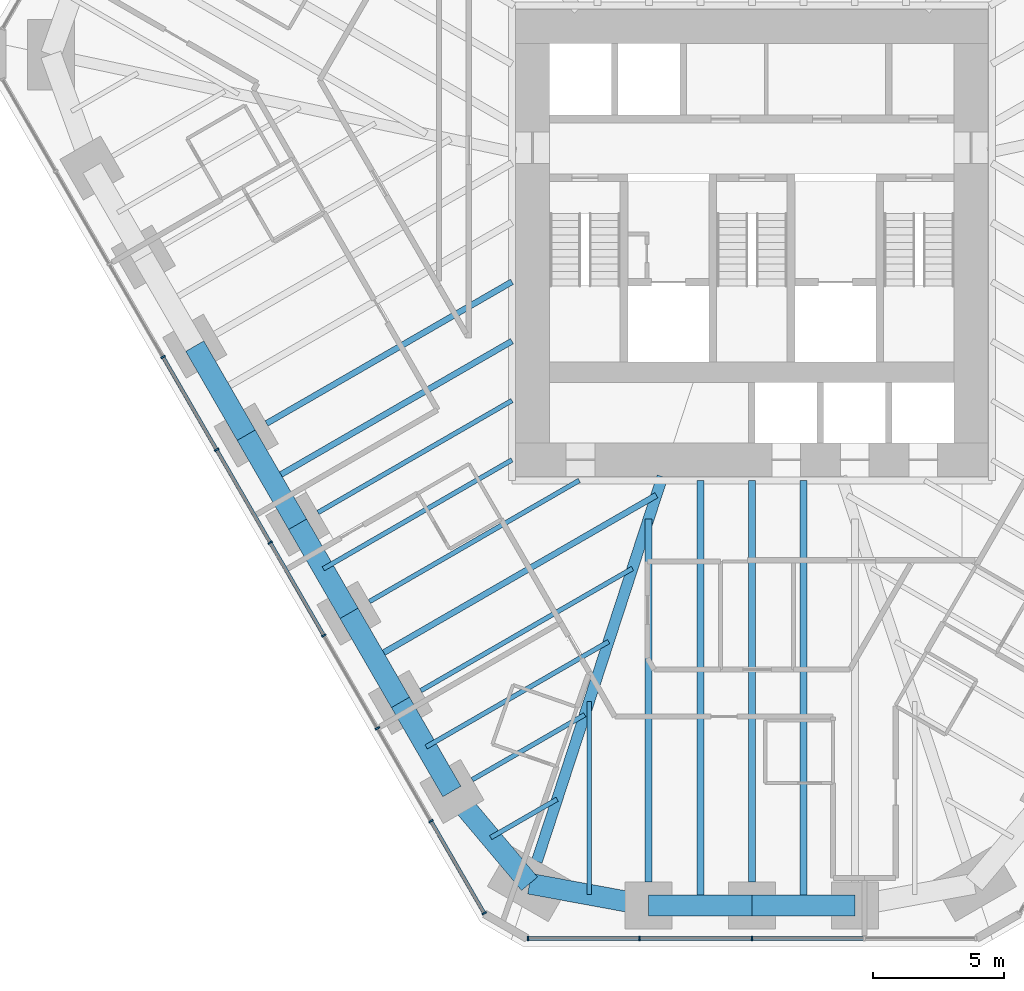
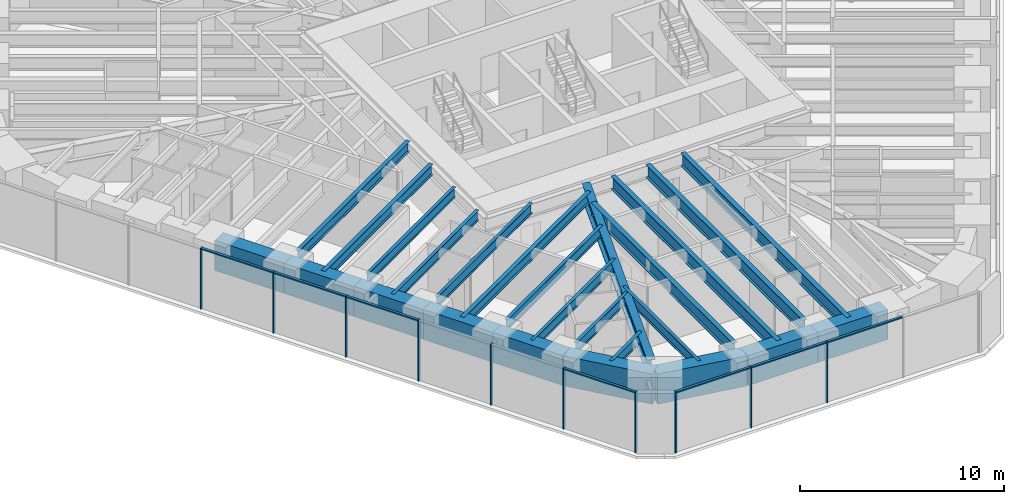
# One storey, part 2 of 17: 25 beams, 17 members, 2 elements without a shape of their own.
"""IFC4 building model written with IfcOpenShell, lengths in metres."""

from ifc_helpers import new_model, si_unit, direction, frame, origin, origin_2d, place, context, subcontext, project, spatial, rectangle, i_section, extrude, material, material_profile, profile_set, type_object, element, aggregate, save


model = new_model("IFC4")

# Units and contexts
model_context = context("Model", 3, precision=1e-05, world=origin(), true_north=direction((0.0, 1.0)))
body_context = subcontext(model_context, "Body", "Model", "MODEL_VIEW")
ifc_project = project(units=[si_unit("LENGTHUNIT", "METRE"), si_unit("AREAUNIT", "SQUARE_METRE"), si_unit("VOLUMEUNIT", "CUBIC_METRE"), si_unit("PLANEANGLEUNIT", "RADIAN"), si_unit("MASSUNIT", "GRAM", prefix="KILO")], contexts=[model_context])

# Site, building, storey
site_placement = place(None, origin())
site = spatial("IfcSite", under=ifc_project, at=site_placement, CompositionType="ELEMENT")
building_placement = place(site_placement, origin())
building = spatial("IfcBuilding", under=site, at=building_placement, Name="Sandreach Pilgrim Tower", CompositionType="ELEMENT")
storey_placement = place(building_placement, frame((0.0, 0.0, 142.39990234375)))
storey = spatial("IfcBuildingStorey", under=building, at=storey_placement, Name="L35", CompositionType="ELEMENT", Elevation=142.39990234375)

# Curtain wall, members
ifc_material_1 = material(Name="Aluminium framed curtain wall", Category="aluminium")
curtain_wall_type = type_object("IfcCurtainWallType", Name="Hotel tower curtain wall", PredefinedType="NOTDEFINED", material=ifc_material_1)
curtain_wall_1_placement = place(storey_placement, origin())
curtain_wall_1 = element("IfcCurtainWall", 1, at=curtain_wall_1_placement, inside=storey, type_object=curtain_wall_type, Name="CW-2 L35 S", PredefinedType="NOTDEFINED")
ifc_material_2 = material(Name="Aluminium extrusion", Category="aluminium")
ifc_material_profile_1 = material_profile(ifc_material_2, rectangle(XDim=0.06494140625, YDim=0.179931640625, at=origin_2d()), Name="CW-2M 65X180")
ifc_profile_set_1 = profile_set([ifc_material_profile_1], Name="Aluminium extrusion")
member_type_1 = type_object("IfcMemberType", Name="CW-2 mullion", PredefinedType="MULLION", material=ifc_profile_set_1)
member_1_placement = place(storey_placement, frame((0.0, -28.192138671875, 0.0), z_axis=(0.0, 0.0, 1.0), x_axis=(-1.0, 0.0, 0.0)))
member_1 = element("IfcMember", 2, at=member_1_placement, type_object=member_type_1, Name="CW-2 mullion 3", PredefinedType="MULLION", context=body_context, shape_type="SweptSolid", body=[
    extrude(rectangle(XDim=0.06494140625, YDim=0.179931640625, at=origin_2d()), origin(), (0.0, 0.0, 1.0), 3.64013671875),
])
member_2_placement = place(storey_placement, frame((-4.3056640625, -28.192138671875, 0.0), z_axis=(0.0, 0.0, 1.0), x_axis=(-1.0, 0.0, 0.0)))
member_2 = element("IfcMember", 3, at=member_2_placement, type_object=member_type_1, Name="CW-2 mullion 4", PredefinedType="MULLION", context=body_context, shape_type="SweptSolid", body=[
    extrude(rectangle(XDim=0.06494140625, YDim=0.179931640625, at=origin_2d()), origin(), (0.0, 0.0, 1.0), 3.64013671875),
])
member_3_placement = place(storey_placement, frame((-8.578857421875, -28.192138671875, 0.0), z_axis=(0.0, 0.0, 1.0), x_axis=(-1.0, 0.0, 0.0)))
member_3 = element("IfcMember", 4, at=member_3_placement, type_object=member_type_1, Name="CW-2 mullion 5", PredefinedType="MULLION", context=body_context, shape_type="SweptSolid", body=[
    extrude(rectangle(XDim=0.06494140625, YDim=0.179931640625, at=origin_2d()), origin(), (0.0, 0.0, 1.0), 3.64013671875),
])

curtain_wall_2_placement = place(storey_placement, origin())
curtain_wall_2 = element("IfcCurtainWall", 5, at=curtain_wall_2_placement, inside=storey, type_object=curtain_wall_type, Name="CW-2 L35 SW", PredefinedType="NOTDEFINED")
member_4_placement = place(storey_placement, frame((-10.255859375, -27.22412109375, 0.0), z_axis=(0.0, 0.0, 1.0), x_axis=(-0.5, 0.866025403784, 0.0)))
member_4 = element("IfcMember", 6, at=member_4_placement, type_object=member_type_1, Name="CW-2 mullion 1", PredefinedType="MULLION", context=body_context, shape_type="SweptSolid", body=[
    extrude(rectangle(XDim=0.06494140625, YDim=0.179931640625, at=origin_2d()), origin(), (0.0, 0.0, 1.0), 3.64013671875),
])
member_5_placement = place(storey_placement, frame((-12.29296875, -23.695556640625, 0.0), z_axis=(0.0, 0.0, 1.0), x_axis=(-0.5, 0.866025403784, 0.0)))
member_5 = element("IfcMember", 7, at=member_5_placement, type_object=member_type_1, Name="CW-2 mullion 2", PredefinedType="MULLION", context=body_context, shape_type="SweptSolid", body=[
    extrude(rectangle(XDim=0.06494140625, YDim=0.179931640625, at=origin_2d()), origin(), (0.0, 0.0, 1.0), 3.64013671875),
])
member_6_placement = place(storey_placement, frame((-14.346435546875, -20.138671875, 0.0), z_axis=(0.0, 0.0, 1.0), x_axis=(-0.5, 0.866025403784, 0.0)))
member_6 = element("IfcMember", 8, at=member_6_placement, type_object=member_type_1, Name="CW-2 mullion 3", PredefinedType="MULLION", context=body_context, shape_type="SweptSolid", body=[
    extrude(rectangle(XDim=0.06494140625, YDim=0.179931640625, at=origin_2d()), origin(), (0.0, 0.0, 1.0), 3.64013671875),
])
member_7_placement = place(storey_placement, frame((-16.39990234375, -16.58203125, 0.0), z_axis=(0.0, 0.0, 1.0), x_axis=(-0.5, 0.866025403784, 0.0)))
member_7 = element("IfcMember", 9, at=member_7_placement, type_object=member_type_1, Name="CW-2 mullion 4", PredefinedType="MULLION", context=body_context, shape_type="SweptSolid", body=[
    extrude(rectangle(XDim=0.06494140625, YDim=0.179931640625, at=origin_2d()), origin(), (0.0, 0.0, 1.0), 3.64013671875),
])
member_8_placement = place(storey_placement, frame((-18.453369140625, -13.025146484375, 0.0), z_axis=(0.0, 0.0, 1.0), x_axis=(-0.5, 0.866025403784, 0.0)))
member_8 = element("IfcMember", 10, at=member_8_placement, type_object=member_type_1, Name="CW-2 mullion 5", PredefinedType="MULLION", context=body_context, shape_type="SweptSolid", body=[
    extrude(rectangle(XDim=0.06494140625, YDim=0.179931640625, at=origin_2d()), origin(), (0.0, 0.0, 1.0), 3.64013671875),
])
member_9_placement = place(storey_placement, frame((-20.5068359375, -9.468505859375, 0.0), z_axis=(0.0, 0.0, 1.0), x_axis=(-0.5, 0.866025403784, 0.0)))
member_9 = element("IfcMember", 11, at=member_9_placement, type_object=member_type_1, Name="CW-2 mullion 6", PredefinedType="MULLION", context=body_context, shape_type="SweptSolid", body=[
    extrude(rectangle(XDim=0.06494140625, YDim=0.179931640625, at=origin_2d()), origin(), (0.0, 0.0, 1.0), 3.64013671875),
])
member_10_placement = place(storey_placement, frame((-22.560302734375, -5.911865234375, 0.0), z_axis=(0.0, 0.0, 1.0), x_axis=(-0.5, 0.866025403784, 0.0)))
member_10 = element("IfcMember", 12, at=member_10_placement, type_object=member_type_1, Name="CW-2 mullion 7", PredefinedType="MULLION", context=body_context, shape_type="SweptSolid", body=[
    extrude(rectangle(XDim=0.06494140625, YDim=0.179931640625, at=origin_2d()), origin(), (0.0, 0.0, 1.0), 3.64013671875),
])

# Member
ifc_material_3 = material(Name="Aluminium extrusion", Category="aluminium")
ifc_material_profile_2 = material_profile(ifc_material_3, rectangle(XDim=0.139892578125, YDim=0.070068359375, at=origin_2d()), Name="CW-2T 140X70")
ifc_profile_set_2 = profile_set([ifc_material_profile_2], Name="Aluminium extrusion")
member_type_2 = type_object("IfcMemberType", Name="CW-2 transom", PredefinedType="USERDEFINED", material=ifc_profile_set_2)
member_11_placement = place(storey_placement, frame((4.273193359375, -28.192138671875, 3.60498046875), z_axis=(-1.0, 0.0, 0.0), x_axis=(0.0, -1.0, 0.0)))
member_11 = element("IfcMember", 13, at=member_11_placement, type_object=member_type_2, Name="CW-2 head transom 2", ObjectType="TRANSOM", PredefinedType="USERDEFINED", context=body_context, shape_type="SweptSolid", body=[
    extrude(rectangle(XDim=0.139892578125, YDim=0.070068359375, at=origin_2d()), origin(), (0.0, 0.0, 1.0), 4.24072265625),
])

member_12_placement = place(storey_placement, frame((-0.032470703125, -28.192138671875, 3.60498046875), z_axis=(-1.0, 0.0, 0.0), x_axis=(0.0, -1.0, 0.0)))
member_12 = element("IfcMember", 14, at=member_12_placement, type_object=member_type_2, Name="CW-2 head transom 3", ObjectType="TRANSOM", PredefinedType="USERDEFINED", context=body_context, shape_type="SweptSolid", body=[
    extrude(rectangle(XDim=0.139892578125, YDim=0.070068359375, at=origin_2d()), origin(), (0.0, 0.0, 1.0), 4.24072265625),
])

member_13_placement = place(storey_placement, frame((-4.338134765625, -28.192138671875, 3.60498046875), z_axis=(-1.0, 0.0, 0.0), x_axis=(0.0, -1.0, 0.0)))
member_13 = element("IfcMember", 15, at=member_13_placement, type_object=member_type_2, Name="CW-2 head transom 4", ObjectType="TRANSOM", PredefinedType="USERDEFINED", context=body_context, shape_type="SweptSolid", body=[
    extrude(rectangle(XDim=0.139892578125, YDim=0.070068359375, at=origin_2d()), origin(), (0.0, 0.0, 1.0), 4.208251953125),
])

aggregate(curtain_wall_1, [member_1, member_2, member_3, member_11, member_12, member_13])

member_14_placement = place(storey_placement, frame((-10.27197265625, -27.196044921875, 3.60498046875), z_axis=(-0.500015851672, 0.866016251624, 0.0), x_axis=(-0.866016251624, -0.500015851672, 0.0)))
member_14 = element("IfcMember", 16, at=member_14_placement, type_object=member_type_2, Name="CW-2 head transom 1", ObjectType="TRANSOM", PredefinedType="USERDEFINED", context=body_context, shape_type="SweptSolid", body=[
    extrude(rectangle(XDim=0.139892578125, YDim=0.070068359375, at=origin_2d()), origin(), (0.0, 0.0, 1.0), 4.009521484375),
])

member_15_placement = place(storey_placement, frame((-16.416259765625, -16.553955078125, 3.60498046875), z_axis=(-0.499997818338, 0.866026663364, 0.0), x_axis=(-0.866026663364, -0.499997818338, 0.0)))
member_15 = element("IfcMember", 17, at=member_15_placement, type_object=member_type_2, Name="CW-2 head transom 4", ObjectType="TRANSOM", PredefinedType="USERDEFINED", context=body_context, shape_type="SweptSolid", body=[
    extrude(rectangle(XDim=0.139892578125, YDim=0.070068359375, at=origin_2d()), origin(), (0.0, 0.0, 1.0), 4.0419921875),
])

member_16_placement = place(storey_placement, frame((-18.4697265625, -12.9970703125, 3.60498046875), z_axis=(-0.499997818338, 0.866026663364, 0.0), x_axis=(-0.866026663364, -0.499997818338, 0.0)))
member_16 = element("IfcMember", 18, at=member_16_placement, type_object=member_type_2, Name="CW-2 head transom 5", ObjectType="TRANSOM", PredefinedType="USERDEFINED", context=body_context, shape_type="SweptSolid", body=[
    extrude(rectangle(XDim=0.139892578125, YDim=0.070068359375, at=origin_2d()), origin(), (0.0, 0.0, 1.0), 4.0419921875),
])

member_17_placement = place(storey_placement, frame((-20.523193359375, -9.4404296875, 3.60498046875), z_axis=(-0.499997818338, 0.866026663364, 0.0), x_axis=(-0.866026663364, -0.499997818338, 0.0)))
member_17 = element("IfcMember", 19, at=member_17_placement, type_object=member_type_2, Name="CW-2 head transom 6", ObjectType="TRANSOM", PredefinedType="USERDEFINED", context=body_context, shape_type="SweptSolid", body=[
    extrude(rectangle(XDim=0.139892578125, YDim=0.070068359375, at=origin_2d()), origin(), (0.0, 0.0, 1.0), 4.0419921875),
])

aggregate(curtain_wall_2, [member_4, member_5, member_6, member_7, member_8, member_9, member_10, member_14, member_15, member_16, member_17])

# Beams
ifc_material_4 = material(Name="Steel ASTM A992 Grade 50", Category="steel")
ifc_material_profile_3 = material_profile(ifc_material_4, i_section(OverallWidth=0.421630859375, OverallDepth=0.937255859375, WebThickness=0.0224609375, FlangeThickness=0.039794921875, at=origin_2d()), Name="W36X282")
ifc_profile_set_3 = profile_set([ifc_material_profile_3], Name="Steel ASTM A992 Grade 50")
beam_type_1 = type_object("IfcBeamType", Name="Corner girder W36X282", PredefinedType="BEAM", material=ifc_profile_set_3)
beam_1_placement = place(storey_placement, frame((-8.238525390625, -25.23876953125, 3.17138671875), z_axis=(0.310307109519, 0.950636364643, 0.0), x_axis=(-0.950636364643, 0.310307109519, 0.0)))
element("IfcBeam", 20, at=beam_1_placement, inside=storey, type_object=beam_type_1, Name="BM L35 CG26", PredefinedType="BEAM", context=body_context, shape_type="SweptSolid", body=[
    extrude(i_section(OverallWidth=0.421630859375, OverallDepth=0.937255859375, WebThickness=0.0224609375, FlangeThickness=0.039794921875, at=origin_2d()), origin(), (0.0, 0.0, 1.0), 15.504150390625),
])
ifc_material_5 = material(Name="Steel ASTM A992 Grade 50", Category="steel")
ifc_material_profile_4 = material_profile(ifc_material_5, i_section(OverallWidth=0.1787109375, OverallDepth=0.60205078125, WebThickness=0.010986328125, FlangeThickness=0.014892578125, at=origin_2d()), Name="W24X62")
ifc_profile_set_4 = profile_set([ifc_material_profile_4], Name="Steel ASTM A992 Grade 50")
beam_type_2 = type_object("IfcBeamType", Name="Floor beam W24X62", PredefinedType="BEAM", material=ifc_profile_set_4)
beam_2_placement = place(storey_placement, frame((-10.714599609375, -22.109130859375, 3.339111328125), z_axis=(0.866024645457, 0.500001313459, 0.0), x_axis=(-0.500001313459, 0.866024645457, 0.0)))
element("IfcBeam", 21, at=beam_2_placement, inside=storey, type_object=beam_type_2, Name="BM L35 F27", PredefinedType="BEAM", context=body_context, shape_type="SweptSolid", body=[
    extrude(i_section(OverallWidth=0.1787109375, OverallDepth=0.60205078125, WebThickness=0.010986328125, FlangeThickness=0.014892578125, at=origin_2d()), origin(), (0.0, 0.0, 1.0), 4.9765625),
])
beam_3_placement = place(storey_placement, frame((-12.6845703125, -18.697265625, 3.339111328125), z_axis=(0.866012351917, 0.500022605817, 0.0), x_axis=(-0.500022605817, 0.866012351917, 0.0)))
element("IfcBeam", 22, at=beam_3_placement, inside=storey, type_object=beam_type_2, Name="BM L35 F28", PredefinedType="BEAM", context=body_context, shape_type="SweptSolid", body=[
    extrude(i_section(OverallWidth=0.1787109375, OverallDepth=0.60205078125, WebThickness=0.010986328125, FlangeThickness=0.014892578125, at=origin_2d()), origin(), (0.0, 0.0, 1.0), 9.3642578125),
])
beam_4_placement = place(storey_placement, frame((-14.654541015625, -15.28515625, 3.339111328125), z_axis=(0.866015659929, 0.500016876472, 0.0), x_axis=(-0.500016876472, 0.866015659929, 0.0)))
element("IfcBeam", 23, at=beam_4_placement, inside=storey, type_object=beam_type_2, Name="BM L35 F29", PredefinedType="BEAM", context=body_context, shape_type="SweptSolid", body=[
    extrude(i_section(OverallWidth=0.1787109375, OverallDepth=0.60205078125, WebThickness=0.010986328125, FlangeThickness=0.014892578125, at=origin_2d()), origin(), (0.0, 0.0, 1.0), 9.283447265625),
])
beam_5_placement = place(storey_placement, frame((-16.62451171875, -11.873046875, 3.339111328125), z_axis=(0.866017857595, 0.500013070155, 0.0), x_axis=(-0.500013070155, 0.866017857595, 0.0)))
element("IfcBeam", 24, at=beam_5_placement, inside=storey, type_object=beam_type_2, Name="BM L35 F30", PredefinedType="BEAM", context=body_context, shape_type="SweptSolid", body=[
    extrude(i_section(OverallWidth=0.1787109375, OverallDepth=0.60205078125, WebThickness=0.010986328125, FlangeThickness=0.014892578125, at=origin_2d()), origin(), (0.0, 0.0, 1.0), 8.580810546875),
])
beam_6_placement = place(storey_placement, frame((-6.236572265625, -26.51318359375, 3.339111328125), z_axis=(0.0, 1.0, 0.0), x_axis=(-1.0, 0.0, 0.0)))
element("IfcBeam", 25, at=beam_6_placement, inside=storey, type_object=beam_type_2, Name="BM L35 FM25", PredefinedType="BEAM", context=body_context, shape_type="SweptSolid", body=[
    extrude(i_section(OverallWidth=0.1787109375, OverallDepth=0.60205078125, WebThickness=0.010986328125, FlangeThickness=0.014892578125, at=origin_2d()), origin(), (0.0, 0.0, 1.0), 7.40771484375),
])
beam_7_placement = place(storey_placement, frame((-10.006103515625, -24.326904296875, 3.339111328125), z_axis=(0.866015396618, 0.500017332519, 0.0), x_axis=(-0.500017332519, 0.866015396618, 0.0)))
element("IfcBeam", 26, at=beam_7_placement, inside=storey, type_object=beam_type_2, Name="BM L35 FM26", PredefinedType="BEAM", context=body_context, shape_type="SweptSolid", body=[
    extrude(i_section(OverallWidth=0.1787109375, OverallDepth=0.60205078125, WebThickness=0.010986328125, FlangeThickness=0.014892578125, at=origin_2d()), origin(), (0.0, 0.0, 1.0), 2.9384765625),
])
beam_8_placement = place(storey_placement, frame((-12.47900390625, -20.853271484375, 3.339111328125), z_axis=(0.866017328257, 0.500013986963, 0.0), x_axis=(-0.500013986963, 0.866017328257, 0.0)))
element("IfcBeam", 27, at=beam_8_placement, inside=storey, type_object=beam_type_2, Name="BM L35 FM27", PredefinedType="BEAM", context=body_context, shape_type="SweptSolid", body=[
    extrude(i_section(OverallWidth=0.1787109375, OverallDepth=0.60205078125, WebThickness=0.010986328125, FlangeThickness=0.014892578125, at=origin_2d()), origin(), (0.0, 0.0, 1.0), 8.070556640625),
])
beam_9_placement = place(storey_placement, frame((-16.4189453125, -14.029052734375, 3.339111328125), z_axis=(0.866016009309, 0.500016271356, 0.0), x_axis=(-0.500016271356, 0.866016009309, 0.0)))
element("IfcBeam", 28, at=beam_9_placement, inside=storey, type_object=beam_type_2, Name="BM L35 FM29", PredefinedType="BEAM", context=body_context, shape_type="SweptSolid", body=[
    extrude(i_section(OverallWidth=0.1787109375, OverallDepth=0.60205078125, WebThickness=0.010986328125, FlangeThickness=0.014892578125, at=origin_2d()), origin(), (0.0, 0.0, 1.0), 8.343505859375),
])
ifc_material_6 = material(Name="Steel ASTM A992 Grade 50", Category="steel")
ifc_material_profile_5 = material_profile(ifc_material_6, i_section(OverallWidth=0.23046875, OverallDepth=0.6171875, WebThickness=0.01318359375, FlangeThickness=0.022216796875, at=origin_2d()), Name="W24X94")
ifc_profile_set_5 = profile_set([ifc_material_profile_5], Name="Steel ASTM A992 Grade 50")
beam_type_3 = type_object("IfcBeamType", Name="Floor beam W24X94", PredefinedType="BEAM", material=ifc_profile_set_5)
beam_10_placement = place(storey_placement, frame((-18.594482421875, -8.4609375, 3.33154296875), z_axis=(0.866015926388, 0.500016414973, 0.0), x_axis=(-0.500016414973, 0.866015926388, 0.0)))
element("IfcBeam", 29, at=beam_10_placement, inside=storey, type_object=beam_type_3, Name="BM L35 F31", PredefinedType="BEAM", context=body_context, shape_type="SweptSolid", body=[
    extrude(i_section(OverallWidth=0.23046875, OverallDepth=0.6171875, WebThickness=0.01318359375, FlangeThickness=0.022216796875, at=origin_2d()), origin(), (0.0, 0.0, 1.0), 10.855712890625),
])
beam_11_placement = place(storey_placement, frame((-14.448974609375, -17.441162109375, 3.33154296875), z_axis=(0.866019150617, 0.500010830648, 0.0), x_axis=(-0.500010830648, 0.866019150617, 0.0)))
element("IfcBeam", 30, at=beam_11_placement, inside=storey, type_object=beam_type_3, Name="BM L35 FM28", PredefinedType="BEAM", context=body_context, shape_type="SweptSolid", body=[
    extrude(i_section(OverallWidth=0.23046875, OverallDepth=0.6171875, WebThickness=0.01318359375, FlangeThickness=0.022216796875, at=origin_2d()), origin(), (0.0, 0.0, 1.0), 12.458251953125),
])
beam_12_placement = place(storey_placement, frame((-18.388916015625, -10.616943359375, 3.33154296875), z_axis=(0.866024387147, 0.500001760863, 0.0), x_axis=(-0.500001760863, 0.866024387147, 0.0)))
element("IfcBeam", 31, at=beam_12_placement, inside=storey, type_object=beam_type_3, Name="BM L35 FM30", PredefinedType="BEAM", context=body_context, shape_type="SweptSolid", body=[
    extrude(i_section(OverallWidth=0.23046875, OverallDepth=0.6171875, WebThickness=0.01318359375, FlangeThickness=0.022216796875, at=origin_2d()), origin(), (0.0, 0.0, 1.0), 10.6181640625),
])
ifc_material_7 = material(Name="Steel ASTM A992 Grade 50", Category="steel")
ifc_material_profile_6 = material_profile(ifc_material_7, i_section(OverallWidth=0.2666015625, OverallDepth=0.761962890625, WebThickness=0.014404296875, FlangeThickness=0.021484375, at=origin_2d()), Name="W30X116")
ifc_profile_set_6 = profile_set([ifc_material_profile_6], Name="Steel ASTM A992 Grade 50")
beam_type_4 = type_object("IfcBeamType", Name="Floor beam W30X116", PredefinedType="BEAM", material=ifc_profile_set_6)
beam_13_placement = place(storey_placement, frame((-3.955322265625, -26.0322265625, 3.259033203125), z_axis=(0.0, 1.0, 0.0), x_axis=(-1.0, 0.0, 0.0)))
element("IfcBeam", 32, at=beam_13_placement, inside=storey, type_object=beam_type_4, Name="BM L35 F25", PredefinedType="BEAM", context=body_context, shape_type="SweptSolid", body=[
    extrude(i_section(OverallWidth=0.2666015625, OverallDepth=0.761962890625, WebThickness=0.014404296875, FlangeThickness=0.021484375, at=origin_2d()), origin(), (0.0, 0.0, 1.0), 13.91552734375),
])
ifc_material_8 = material(Name="Steel ASTM A992 Grade 50", Category="steel")
ifc_material_profile_7 = material_profile(ifc_material_8, i_section(OverallWidth=0.2666015625, OverallDepth=0.77978515625, WebThickness=0.0166015625, FlangeThickness=0.030029296875, at=origin_2d()), Name="W30X148")
ifc_profile_set_7 = profile_set([ifc_material_profile_7], Name="Steel ASTM A992 Grade 50")
beam_type_5 = type_object("IfcBeamType", Name="Floor beam W30X148", PredefinedType="BEAM", material=ifc_profile_set_7)
beam_14_placement = place(storey_placement, frame((0.0, -26.0322265625, 3.250244140625), z_axis=(0.0, 1.0, 0.0), x_axis=(-1.0, 0.0, 0.0)))
element("IfcBeam", 33, at=beam_14_placement, inside=storey, type_object=beam_type_5, Name="BM L35 F24", PredefinedType="BEAM", context=body_context, shape_type="SweptSolid", body=[
    extrude(i_section(OverallWidth=0.2666015625, OverallDepth=0.77978515625, WebThickness=0.0166015625, FlangeThickness=0.030029296875, at=origin_2d()), origin(), (0.0, 0.0, 1.0), 15.388916015625),
])
for number, where, z_axis, x_axis, name in (
    (34, (1.9775390625, -26.93212890625, 3.250244140625), (0.0, 1.0, 0.0), (-1.0, 0.0, 0.0), "BM L35 FM23"),
    (35, (-1.9775390625, -26.93212890625, 3.250244140625), (0.0, 1.0, 0.0), (-1.0, 0.0, 0.0), "BM L35 FM24"),
):
    element("IfcBeam", number, at=place(storey_placement, frame(where, z_axis=z_axis, x_axis=x_axis)), inside=storey, type_object=beam_type_5, Name=name, PredefinedType="BEAM", context=body_context, shape_type="SweptSolid", body=[
        extrude(i_section(OverallWidth=0.2666015625, OverallDepth=0.77978515625, WebThickness=0.0166015625, FlangeThickness=0.030029296875, at=origin_2d()), origin(), (0.0, 0.0, 1.0), 16.288818359375),
    ])
ifc_material_9 = material(Name="Concrete 10000 psi", Category="concrete")
ifc_material_profile_8 = material_profile(ifc_material_9, rectangle(XDim=0.800048828125, YDim=1.800048828125, at=origin_2d()), Name="RC800X1800")
ifc_profile_set_8 = profile_set([ifc_material_profile_8], Name="Concrete 10000 psi")
beam_type_6 = type_object("IfcBeamType", Name="Spandrel beam RC800X1800", PredefinedType="SPANDREL", material=ifc_profile_set_8)
for number, where, z_axis, x_axis, name in (
    (36, (3.955322265625, -26.93212890625, 2.739990234375), (-1.0, 0.0, 0.0), (0.0, -1.0, 0.0), "BM L35 SP23"),
    (37, (0.0, -26.93212890625, 2.739990234375), (-1.0, 0.0, 0.0), (0.0, -1.0, 0.0), "BM L35 SP24"),
):
    element("IfcBeam", number, at=place(storey_placement, frame(where, z_axis=z_axis, x_axis=x_axis)), inside=storey, type_object=beam_type_6, Name=name, PredefinedType="SPANDREL", context=body_context, shape_type="SweptSolid", body=[
        extrude(rectangle(XDim=0.800048828125, YDim=1.800048828125, at=origin_2d()), origin(), (0.0, 0.0, 1.0), 3.955322265625),
    ])
beam_15_placement = place(storey_placement, frame((-3.955322265625, -26.93212890625, 2.739990234375), z_axis=(-0.983551746136, 0.180626583516, 0.0), x_axis=(-0.180626583516, -0.983551746136, 0.0)))
element("IfcBeam", 38, at=beam_15_placement, inside=storey, type_object=beam_type_6, Name="BM L35 SP25", PredefinedType="SPANDREL", context=body_context, shape_type="SweptSolid", body=[
    extrude(rectangle(XDim=0.800048828125, YDim=1.800048828125, at=origin_2d()), origin(), (0.0, 0.0, 1.0), 4.638916015625),
])
beam_16_placement = place(storey_placement, frame((-8.517822265625, -26.09423828125, 2.739990234375), z_axis=(-0.644078801547, 0.764959147535, 0.0), x_axis=(-0.764959147535, -0.644078801547, 0.0)))
element("IfcBeam", 39, at=beam_16_placement, inside=storey, type_object=beam_type_6, Name="BM L35 SP26", PredefinedType="SPANDREL", context=body_context, shape_type="SweptSolid", body=[
    extrude(rectangle(XDim=0.800048828125, YDim=1.800048828125, at=origin_2d()), origin(), (0.0, 0.0, 1.0), 4.62109375),
])
for number, where, z_axis, x_axis, name in (
    (40, (-11.494140625, -22.559326171875, 2.739990234375), (-0.49999779889, 0.866026674592, 0.0), (-0.866026674592, -0.49999779889, 0.0), "BM L35 SP27"),
    (41, (-13.464111328125, -19.147216796875, 2.739990234375), (-0.49999779889, 0.866026674592, 0.0), (-0.866026674592, -0.49999779889, 0.0), "BM L35 SP28"),
    (42, (-15.43408203125, -15.735107421875, 2.739990234375), (-0.49999779889, 0.866026674592, 0.0), (-0.866026674592, -0.49999779889, 0.0), "BM L35 SP29"),
    (43, (-17.404052734375, -12.322998046875, 2.739990234375), (-0.49999779889, 0.866026674592, 0.0), (-0.866026674592, -0.49999779889, 0.0), "BM L35 SP30"),
    (44, (-19.3740234375, -8.910888671875, 2.739990234375), (-0.49999779889, 0.866026674592, 0.0), (-0.866026674592, -0.49999779889, 0.0), "BM L35 SP31"),
):
    element("IfcBeam", number, at=place(storey_placement, frame(where, z_axis=z_axis, x_axis=x_axis)), inside=storey, type_object=beam_type_6, Name=name, PredefinedType="SPANDREL", context=body_context, shape_type="SweptSolid", body=[
        extrude(rectangle(XDim=0.800048828125, YDim=1.800048828125, at=origin_2d()), origin(), (0.0, 0.0, 1.0), 3.93994140625),
    ])

save(model, "model.ifc")
